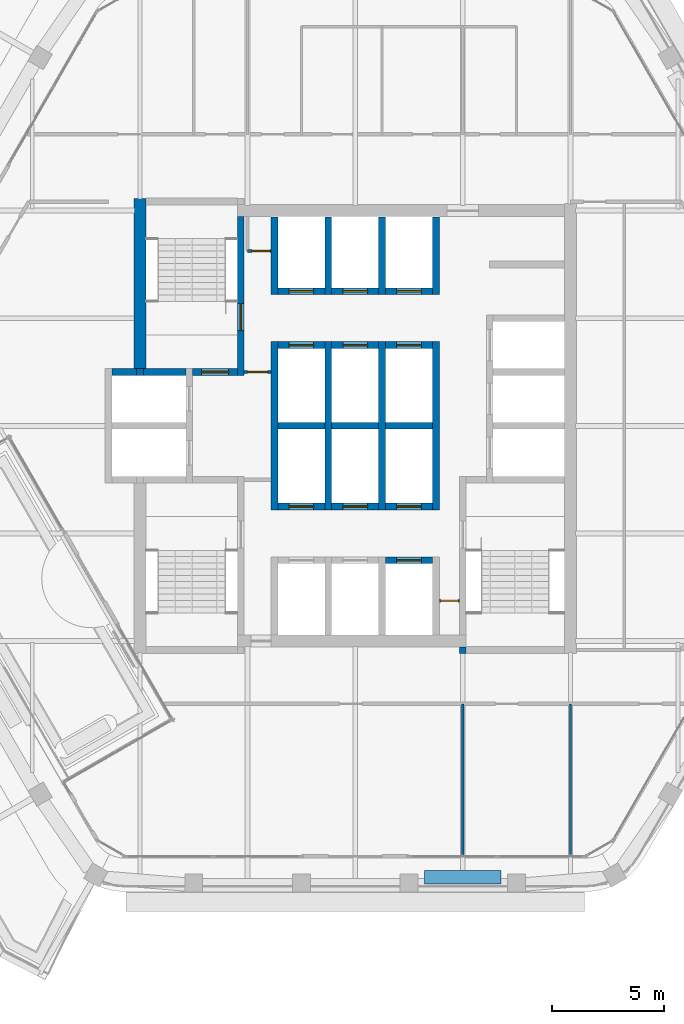
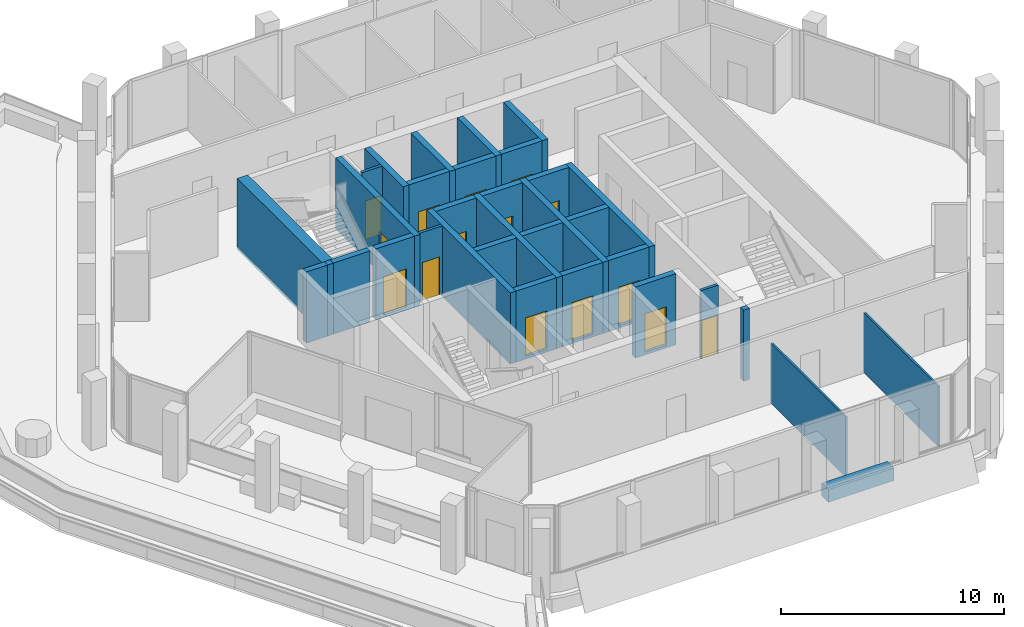
# One storey, part 10 of 15: 34 walls, 15 doors, 15 openings.
"""IFC4 building model written with IfcOpenShell, lengths in metres."""

import ifcopenshell
import ifcopenshell.guid

model = None  # the IFC model being written
_history = None  # IfcOwnerHistory: only IFC2X3 demands one
_inside = {}  # id of a spatial element -> (the spatial element, [elements in it])
_under = {}  # id of a project, library or spatial element -> (it, [spatial elements below it])
_declared = {}  # id of a project -> (the project, [libraries it declares])
_typed = {}  # id of a type object -> (the type object, [elements of that type])
_made_of = {}  # id of a material, layer set ... -> (it, [elements and type objects made of it])


def new_model(schema):
    """Start an empty IFC model of exactly this schema.

    Asked for "IFC4X3", IfcOpenShell would pick the latest addendum, in which some entities
    have other attributes; the version numbers below select the first issue.
    IFC2X3 requires an IfcOwnerHistory on every rooted entity: one is made here for all.
    """
    global model, _history
    if schema == "IFC4X3":
        model = ifcopenshell.file(schema_version=(4, 3, 0, 0))
    else:
        model = ifcopenshell.file(schema=schema)
    _inside.clear()
    _under.clear()
    _declared.clear()
    _typed.clear()
    _made_of.clear()
    _history = None
    if model.schema == "IFC2X3":
        org = make("IfcOrganization", Name="unknown")
        user = make(
            "IfcPersonAndOrganization",
            ThePerson=make("IfcPerson", FamilyName="unknown"),
            TheOrganization=org,
        )
        app = make(
            "IfcApplication",
            ApplicationDeveloper=org,
            Version="unknown",
            ApplicationFullName="unknown",
            ApplicationIdentifier="unknown",
        )
        _history = make(
            "IfcOwnerHistory",
            OwningUser=user,
            OwningApplication=app,
            ChangeAction="ADDED",
            CreationDate=0,
        )
    return model


def make(cls, **values):
    """One entity of the class cls with the attributes given. An attribute that is None is left unset."""
    return model.create_entity(
        cls, **{name: value for name, value in values.items() if value is not None}
    )


def rooted(cls, **values):
    """An entity with a GlobalId (a new one), such as an element, a storey or a relation."""
    return make(cls, GlobalId=ifcopenshell.guid.new(), OwnerHistory=_history, **values)


def si_unit(unit_type, name, prefix=None):
    """IfcSIUnit, for example si_unit("LENGTHUNIT", "METRE", prefix="MILLI")."""
    return make("IfcSIUnit", UnitType=unit_type, Prefix=prefix, Name=name)


def assignment(units):
    """IfcUnitAssignment: the units of a project."""
    return None if units is None else make("IfcUnitAssignment", Units=units)


def point(xyz):
    """IfcCartesianPoint."""
    return None if xyz is None else make("IfcCartesianPoint", Coordinates=xyz)


def direction(xyz):
    """IfcDirection."""
    return None if xyz is None else make("IfcDirection", DirectionRatios=xyz)


def frame(location, z_axis=None, x_axis=None):
    """IfcAxis2Placement3D, a coordinate frame: its origin and axes. An axis left out is left unset."""
    return make(
        "IfcAxis2Placement3D",
        Location=point(location),
        Axis=direction(z_axis),
        RefDirection=direction(x_axis),
    )


def frame_2d(location, x_axis=None):
    """IfcAxis2Placement2D, a coordinate frame in the plane: its origin and x axis."""
    return make(
        "IfcAxis2Placement2D", Location=point(location), RefDirection=direction(x_axis)
    )


def origin():
    """The frame at (0, 0, 0) with its axes left unset."""
    return frame((0.0, 0.0, 0.0))


def place(relative_to, where):
    """IfcLocalPlacement: puts the frame where relative to a parent placement (None: the world)."""
    return make(
        "IfcLocalPlacement", PlacementRelTo=relative_to, RelativePlacement=where
    )


def context(
    kind, dimensions, precision=None, world=None, true_north=None, identifier=None
):
    """IfcGeometricRepresentationContext, for example the 3D "Model" context."""
    return make(
        "IfcGeometricRepresentationContext",
        ContextIdentifier=identifier,
        ContextType=kind,
        CoordinateSpaceDimension=dimensions,
        Precision=precision,
        WorldCoordinateSystem=world,
        TrueNorth=true_north,
    )


def subcontext(parent, identifier, kind, view, scale=None):
    """IfcGeometricRepresentationSubContext, for example "Body" below "Model"."""
    return make(
        "IfcGeometricRepresentationSubContext",
        ContextIdentifier=identifier,
        ContextType=kind,
        ParentContext=parent,
        TargetScale=scale,
        TargetView=view,
    )


def project(units=None, contexts=None):
    """IfcProject with its units and contexts."""
    return rooted(
        "IfcProject",
        Name="project",
        RepresentationContexts=contexts,
        UnitsInContext=assignment(units),
    )


def spatial(cls, under=None, at=None, **own):
    """A site, building, storey or space (cls), placed at a placement, below another one or the project."""
    s = rooted(cls, ObjectPlacement=at, **own)
    if under is not None:
        _under.setdefault(under.id(), (under, []))[1].append(s)
    return s


def profile(cls, at=None, kind="AREA", **sizes):
    """A parametric profile (cls). Its sizes go by their IFC names, for example OverallWidth=200.0."""
    return make(cls, ProfileType=kind, Position=at, **sizes)


def rectangle(**sizes):
    """IfcRectangleProfileDef."""
    return profile("IfcRectangleProfileDef", **sizes)


def extrude(swept, where, along, depth):
    """IfcExtrudedAreaSolid: the profile swept, set in the frame where, extruded along a direction by depth."""
    return make(
        "IfcExtrudedAreaSolid",
        SweptArea=swept,
        Position=where,
        ExtrudedDirection=direction(along),
        Depth=depth,
    )


def shape(context_of_items, identifier, shape_type, items):
    """IfcShapeRepresentation: the items that make up one representation, for example the "Body"."""
    return make(
        "IfcShapeRepresentation",
        ContextOfItems=context_of_items,
        RepresentationIdentifier=identifier,
        RepresentationType=shape_type,
        Items=items,
    )


def material(Name=None, Category=None):
    """IfcMaterial."""
    return make("IfcMaterial", Name=Name, Category=Category)


def layer(
    of_material, thickness, ventilated=None, Name=None, Category=None, Priority=None
):
    """IfcMaterialLayer: one layer of a wall or slab, of a material (None: an air gap)."""
    return make(
        "IfcMaterialLayer",
        Material=of_material,
        LayerThickness=thickness,
        IsVentilated=ventilated,
        Name=Name,
        Category=Category,
        Priority=Priority,
    )


def layer_set(layers, Name=None):
    """IfcMaterialLayerSet."""
    return make("IfcMaterialLayerSet", MaterialLayers=layers, LayerSetName=Name)


def made_of(thing, what):
    """Note that an element or type object is made of a material, layer set ...; save() writes the relation."""
    if what is not None:
        _made_of.setdefault(what.id(), (what, []))[1].append(thing)
    return thing


def type_object(cls, material=None, **own):
    """A type object (cls), such as IfcWallType, which elements share."""
    return made_of(rooted(cls, **own), material)


def element(
    cls,
    number,
    at=None,
    inside=None,
    cuts=None,
    type_object=None,
    material=None,
    context=None,
    identifier="Body",
    shape_type=None,
    held_by="IfcProductDefinitionShape",
    body=None,
    shapes=None,
    **own,
):
    """One element of the class cls, such as IfcWall. Its Tag is "e" and its number.

    at: its placement. inside: the storey or other place that contains it. cuts: it is an
    opening in that element (IfcRelVoidsElement). A single representation is given by context,
    identifier, shape_type and body (its items); several are given by shapes. held_by: the class
    of the entity that holds the representations. save() writes the other relations.
    """
    e = rooted(cls, Tag="e%d" % number, ObjectPlacement=at, **own)
    if body is not None:
        shapes = [shape(context, identifier, shape_type, body)]
    if shapes is not None:
        e.Representation = make(held_by, Representations=shapes)
    if inside is not None:
        _inside.setdefault(inside.id(), (inside, []))[1].append(e)
    if cuts is not None:
        rooted(
            "IfcRelVoidsElement", RelatingBuildingElement=cuts, RelatedOpeningElement=e
        )
    if type_object is not None:
        _typed.setdefault(type_object.id(), (type_object, []))[1].append(e)
    return made_of(e, material)


def fill(opening, filler):
    """IfcRelFillsElement: the door or window that sits in an opening."""
    return rooted(
        "IfcRelFillsElement",
        RelatingOpeningElement=opening,
        RelatedBuildingElement=filler,
    )


def aggregate(whole, parts):
    """IfcRelAggregates: a whole, such as a stair, and the parts it consists of."""
    return rooted("IfcRelAggregates", RelatingObject=whole, RelatedObjects=parts)


def save(model, path):
    """Write the relations noted so far, then the file.

    IfcRelAggregates (storeys below a building ...), IfcRelContainedInSpatialStructure (elements
    in a storey), IfcRelDefinesByType, IfcRelAssociatesMaterial and IfcRelDeclares: one each for
    every whole, place, type object, material and project.
    """
    for whole, parts in _under.values():
        aggregate(whole, parts)
    for where, things in _inside.values():
        rooted(
            "IfcRelContainedInSpatialStructure",
            RelatedElements=things,
            RelatingStructure=where,
        )
    for kind, things in _typed.values():
        rooted("IfcRelDefinesByType", RelatedObjects=things, RelatingType=kind)
    for what, things in _made_of.values():
        rooted("IfcRelAssociatesMaterial", RelatedObjects=things, RelatingMaterial=what)
    for by, libraries in _declared.values():
        rooted("IfcRelDeclares", RelatingContext=by, RelatedDefinitions=libraries)
    model.write(path)


model = new_model("IFC4")

# Units and contexts
model_context = context("Model", 3, precision=1e-05, world=origin(), true_north=direction((0.0, 1.0)))
body_context = subcontext(model_context, "Body", "Model", "MODEL_VIEW")
ifc_project = project(units=[si_unit("LENGTHUNIT", "METRE"), si_unit("AREAUNIT", "SQUARE_METRE"), si_unit("VOLUMEUNIT", "CUBIC_METRE"), si_unit("PLANEANGLEUNIT", "RADIAN"), si_unit("MASSUNIT", "GRAM", prefix="KILO")], contexts=[model_context])

# Site, building, storey
site_placement = place(None, origin())
site = spatial("IfcSite", under=ifc_project, at=site_placement, CompositionType="ELEMENT")
building_placement = place(site_placement, origin())
building = spatial("IfcBuilding", under=site, at=building_placement, Name="Kolab Exchange Tower", CompositionType="ELEMENT")
storey_placement = place(building_placement, frame((0.0, 0.0, 238.39990234375)))
storey = spatial("IfcBuildingStorey", under=building, at=storey_placement, Name="L52", CompositionType="ELEMENT", Elevation=238.39990234375)

# Wall
ifc_material_1 = material(Name="Concrete C50/60", Category="concrete")
ifc_layer_1 = layer(ifc_material_1, 0.550048828125)
ifc_layer_set_1 = layer_set([ifc_layer_1], Name="Concrete C50/60")
wall_type_1 = type_object("IfcWallType", Name="CORE WALL 550 C50/60", PredefinedType="SHEAR", material=ifc_layer_set_1)
wall_1_placement = place(storey_placement, frame((-9.60009765625, 2.550048828125, -0.14990234375), z_axis=(0.0, 0.0, 1.0), x_axis=(0.0, 1.0, 0.0)))
element("IfcWall", 1, at=wall_1_placement, inside=storey, type_object=wall_type_1, Name="wall/L52/core/037", PredefinedType="SHEAR", context=body_context, shape_type="SweptSolid", body=[
    extrude(rectangle(XDim=7.599853515625, YDim=0.550048828125, at=frame_2d((3.7998046875, 0.0))), origin(), (0.0, 0.0, 1.0), 3.89990234375),
])

# Wall, opening, door
ifc_layer_2 = layer(ifc_material_1, 0.300048828125)
ifc_layer_set_2 = layer_set([ifc_layer_2], Name="Concrete C50/60")
wall_type_2 = type_object("IfcWallType", Name="LIFT SHAFT WALL 300 C50/60", PredefinedType="STANDARD", material=ifc_layer_set_2)
wall_2_placement = place(storey_placement, frame((1.35009765625, -6.0, -0.14990234375), z_axis=(0.0, 0.0, 1.0), x_axis=(1.0, 0.0, 0.0)))
wall_2 = element("IfcWall", 2, at=wall_2_placement, inside=storey, type_object=wall_type_2, Name="wall/L52/core/005", PredefinedType="STANDARD", context=body_context, shape_type="SweptSolid", body=[
    extrude(rectangle(XDim=2.099853515625, YDim=0.300048828125, at=frame_2d((1.0498046875, 0.0))), origin(), (0.0, 0.0, 1.0), 3.89990234375),
])
opening_1_placement = place(wall_2_placement, frame((0.5, 0.0, 0.14990234375)))
opening_1 = element("IfcOpeningElement", 3, at=opening_1_placement, cuts=wall_2, Name="Opening LD1-112", PredefinedType="OPENING", context=body_context, shape_type="SweptSolid", body=[
    extrude(rectangle(XDim=1.10009765625, YDim=2.10009765625, at=frame_2d((0.550048828125, 1.050048828125))), frame((0.0, 0.16015625, 0.0), z_axis=(0.0, -1.0, 0.0), x_axis=(1.0, 0.0, 0.0)), (0.0, 0.0, 1.0), 0.320068359375),
])
ifc_material_2 = material(Name="Stainless steel 316", Category="steel")
door_type_1 = type_object("IfcDoorType", Name="LANDING DOOR 1100 PASSENGER", OperationType="DOUBLE_DOOR_SLIDING", PredefinedType="DOOR", material=ifc_material_2)
door_1_placement = place(opening_1_placement, origin())
door_1 = element("IfcDoor", 4, at=door_1_placement, inside=storey, type_object=door_type_1, Name="Landing door HR12", OperationType="DOUBLE_DOOR_SLIDING", OverallHeight=2.10009765625, OverallWidth=1.10009765625, PredefinedType="DOOR", context=body_context, shape_type="SweptSolid", body=[
    extrude(rectangle(XDim=1.10009765625, YDim=2.10009765625, at=frame_2d((0.550048828125, 1.050048828125))), frame((0.0, 0.02490234375, 0.0), z_axis=(0.0, -1.0, 0.0), x_axis=(1.0, 0.0, 0.0)), (0.0, 0.0, 1.0), 0.050048828125),
])
fill(opening_1, door_1)

wall_3_placement = place(storey_placement, frame((-3.449951171875, -3.60009765625, -0.14990234375), z_axis=(0.0, 0.0, 1.0), x_axis=(1.0, 0.0, 0.0)))
wall_3 = element("IfcWall", 5, at=wall_3_placement, inside=storey, type_object=wall_type_2, Name="wall/L52/core/006", PredefinedType="STANDARD", context=body_context, shape_type="SweptSolid", body=[
    extrude(rectangle(XDim=2.099853515625, YDim=0.300048828125, at=frame_2d((1.0498046875, 0.0))), origin(), (0.0, 0.0, 1.0), 3.89990234375),
])
opening_2_placement = place(wall_3_placement, frame((0.5, 0.0, 0.14990234375)))
opening_2 = element("IfcOpeningElement", 6, at=opening_2_placement, cuts=wall_3, Name="Opening LD1-118", PredefinedType="OPENING", context=body_context, shape_type="SweptSolid", body=[
    extrude(rectangle(XDim=1.10009765625, YDim=2.10009765625, at=frame_2d((0.550048828125, 1.050048828125))), frame((0.0, 0.16015625, 0.0), z_axis=(0.0, -1.0, 0.0), x_axis=(1.0, 0.0, 0.0)), (0.0, 0.0, 1.0), 0.320068359375),
])
door_2_placement = place(opening_2_placement, origin())
door_2 = element("IfcDoor", 7, at=door_2_placement, inside=storey, type_object=door_type_1, Name="Landing door HR7", OperationType="DOUBLE_DOOR_SLIDING", OverallHeight=2.10009765625, OverallWidth=1.10009765625, PredefinedType="DOOR", context=body_context, shape_type="SweptSolid", body=[
    extrude(rectangle(XDim=1.10009765625, YDim=2.10009765625, at=frame_2d((0.550048828125, 1.050048828125))), frame((0.0, 0.02490234375, 0.0), z_axis=(0.0, -1.0, 0.0), x_axis=(1.0, 0.0, 0.0)), (0.0, 0.0, 1.0), 0.050048828125),
])
fill(opening_2, door_2)

wall_4_placement = place(storey_placement, frame((-1.050048828125, -3.60009765625, -0.14990234375), z_axis=(0.0, 0.0, 1.0), x_axis=(1.0, 0.0, 0.0)))
wall_4 = element("IfcWall", 8, at=wall_4_placement, inside=storey, type_object=wall_type_2, Name="wall/L52/core/007", PredefinedType="STANDARD", context=body_context, shape_type="SweptSolid", body=[
    extrude(rectangle(XDim=2.10009765625, YDim=0.300048828125, at=frame_2d((1.050048828125, 0.0))), origin(), (0.0, 0.0, 1.0), 3.89990234375),
])
opening_3_placement = place(wall_4_placement, frame((0.5, 0.0, 0.14990234375)))
opening_3 = element("IfcOpeningElement", 9, at=opening_3_placement, cuts=wall_4, Name="Opening LD1-119", PredefinedType="OPENING", context=body_context, shape_type="SweptSolid", body=[
    extrude(rectangle(XDim=1.10009765625, YDim=2.10009765625, at=frame_2d((0.550048828125, 1.050048828125))), frame((0.0, 0.16015625, 0.0), z_axis=(0.0, -1.0, 0.0), x_axis=(1.0, 0.0, 0.0)), (0.0, 0.0, 1.0), 0.320068359375),
])
door_3_placement = place(opening_3_placement, origin())
door_3 = element("IfcDoor", 10, at=door_3_placement, inside=storey, type_object=door_type_1, Name="Landing door HR8", OperationType="DOUBLE_DOOR_SLIDING", OverallHeight=2.10009765625, OverallWidth=1.10009765625, PredefinedType="DOOR", context=body_context, shape_type="SweptSolid", body=[
    extrude(rectangle(XDim=1.10009765625, YDim=2.10009765625, at=frame_2d((0.550048828125, 1.050048828125))), frame((0.0, 0.02490234375, 0.0), z_axis=(0.0, -1.0, 0.0), x_axis=(1.0, 0.0, 0.0)), (0.0, 0.0, 1.0), 0.050048828125),
])
fill(opening_3, door_3)

wall_5_placement = place(storey_placement, frame((1.35009765625, -3.60009765625, -0.14990234375), z_axis=(0.0, 0.0, 1.0), x_axis=(1.0, 0.0, 0.0)))
wall_5 = element("IfcWall", 11, at=wall_5_placement, inside=storey, type_object=wall_type_2, Name="wall/L52/core/008", PredefinedType="STANDARD", context=body_context, shape_type="SweptSolid", body=[
    extrude(rectangle(XDim=2.099853515625, YDim=0.300048828125, at=frame_2d((1.0498046875, 0.0))), origin(), (0.0, 0.0, 1.0), 3.89990234375),
])
opening_4_placement = place(wall_5_placement, frame((0.5, 0.0, 0.14990234375)))
opening_4 = element("IfcOpeningElement", 12, at=opening_4_placement, cuts=wall_5, Name="Opening LD1-120", PredefinedType="OPENING", context=body_context, shape_type="SweptSolid", body=[
    extrude(rectangle(XDim=1.10009765625, YDim=2.10009765625, at=frame_2d((0.550048828125, 1.050048828125))), frame((0.0, 0.16015625, 0.0), z_axis=(0.0, -1.0, 0.0), x_axis=(1.0, 0.0, 0.0)), (0.0, 0.0, 1.0), 0.320068359375),
])
door_4_placement = place(opening_4_placement, origin())
door_4 = element("IfcDoor", 13, at=door_4_placement, inside=storey, type_object=door_type_1, Name="Landing door HR9", OperationType="DOUBLE_DOOR_SLIDING", OverallHeight=2.10009765625, OverallWidth=1.10009765625, PredefinedType="DOOR", context=body_context, shape_type="SweptSolid", body=[
    extrude(rectangle(XDim=1.10009765625, YDim=2.10009765625, at=frame_2d((0.550048828125, 1.050048828125))), frame((0.0, 0.02490234375, 0.0), z_axis=(0.0, -1.0, 0.0), x_axis=(1.0, 0.0, 0.0)), (0.0, 0.0, 1.0), 0.050048828125),
])
fill(opening_4, door_4)

# Walls
wall_6_placement = place(storey_placement, frame((-3.449951171875, 0.0, -0.14990234375), z_axis=(0.0, 0.0, 1.0), x_axis=(1.0, 0.0, 0.0)))
element("IfcWall", 14, at=wall_6_placement, inside=storey, type_object=wall_type_2, Name="wall/L52/core/015", PredefinedType="STANDARD", context=body_context, shape_type="SweptSolid", body=[
    extrude(rectangle(XDim=2.099853515625, YDim=0.300048828125, at=frame_2d((1.0498046875, 0.0))), origin(), (0.0, 0.0, 1.0), 3.89990234375),
])
wall_7_placement = place(storey_placement, frame((-1.050048828125, 0.0, -0.14990234375), z_axis=(0.0, 0.0, 1.0), x_axis=(1.0, 0.0, 0.0)))
element("IfcWall", 15, at=wall_7_placement, inside=storey, type_object=wall_type_2, Name="wall/L52/core/016", PredefinedType="STANDARD", context=body_context, shape_type="SweptSolid", body=[
    extrude(rectangle(XDim=2.10009765625, YDim=0.300048828125, at=frame_2d((1.050048828125, 0.0))), origin(), (0.0, 0.0, 1.0), 3.89990234375),
])
wall_8_placement = place(storey_placement, frame((1.35009765625, 0.0, -0.14990234375), z_axis=(0.0, 0.0, 1.0), x_axis=(1.0, 0.0, 0.0)))
element("IfcWall", 16, at=wall_8_placement, inside=storey, type_object=wall_type_2, Name="wall/L52/core/017", PredefinedType="STANDARD", context=body_context, shape_type="SweptSolid", body=[
    extrude(rectangle(XDim=2.099853515625, YDim=0.300048828125, at=frame_2d((1.0498046875, 0.0))), origin(), (0.0, 0.0, 1.0), 3.89990234375),
])
wall_9_placement = place(storey_placement, frame((-10.85009765625, 2.39990234375, -0.14990234375), z_axis=(0.0, 0.0, 1.0), x_axis=(1.0, 0.0, 0.0)))
element("IfcWall", 17, at=wall_9_placement, inside=storey, type_object=wall_type_2, Name="wall/L52/core/019", PredefinedType="STANDARD", context=body_context, shape_type="SweptSolid", body=[
    extrude(rectangle(XDim=1.10009765625, YDim=0.300048828125, at=frame_2d((0.550048828125, 0.0))), origin(), (0.0, 0.0, 1.0), 3.89990234375),
])

# Wall, opening, door
wall_10_placement = place(storey_placement, frame((-3.449951171875, 3.60009765625, -0.14990234375), z_axis=(0.0, 0.0, 1.0), x_axis=(1.0, 0.0, 0.0)))
wall_10 = element("IfcWall", 18, at=wall_10_placement, inside=storey, type_object=wall_type_2, Name="wall/L52/core/023", PredefinedType="STANDARD", context=body_context, shape_type="SweptSolid", body=[
    extrude(rectangle(XDim=2.099853515625, YDim=0.300048828125, at=frame_2d((1.0498046875, 0.0))), origin(), (0.0, 0.0, 1.0), 3.89990234375),
])
opening_5_placement = place(wall_10_placement, frame((0.5, 0.0, 0.14990234375)))
opening_5 = element("IfcOpeningElement", 19, at=opening_5_placement, cuts=wall_10, Name="Opening LD1-115", PredefinedType="OPENING", context=body_context, shape_type="SweptSolid", body=[
    extrude(rectangle(XDim=1.10009765625, YDim=2.10009765625, at=frame_2d((0.550048828125, 1.050048828125))), frame((0.0, 0.16015625, 0.0), z_axis=(0.0, -1.0, 0.0), x_axis=(1.0, 0.0, 0.0)), (0.0, 0.0, 1.0), 0.320068359375),
])
door_5_placement = place(opening_5_placement, origin())
door_5 = element("IfcDoor", 20, at=door_5_placement, inside=storey, type_object=door_type_1, Name="Landing door HR4", OperationType="DOUBLE_DOOR_SLIDING", OverallHeight=2.10009765625, OverallWidth=1.10009765625, PredefinedType="DOOR", context=body_context, shape_type="SweptSolid", body=[
    extrude(rectangle(XDim=1.10009765625, YDim=2.10009765625, at=frame_2d((0.550048828125, 1.050048828125))), frame((0.0, 0.02490234375, 0.0), z_axis=(0.0, -1.0, 0.0), x_axis=(1.0, 0.0, 0.0)), (0.0, 0.0, 1.0), 0.050048828125),
])
fill(opening_5, door_5)

wall_11_placement = place(storey_placement, frame((-1.050048828125, 3.60009765625, -0.14990234375), z_axis=(0.0, 0.0, 1.0), x_axis=(1.0, 0.0, 0.0)))
wall_11 = element("IfcWall", 21, at=wall_11_placement, inside=storey, type_object=wall_type_2, Name="wall/L52/core/024", PredefinedType="STANDARD", context=body_context, shape_type="SweptSolid", body=[
    extrude(rectangle(XDim=2.10009765625, YDim=0.300048828125, at=frame_2d((1.050048828125, 0.0))), origin(), (0.0, 0.0, 1.0), 3.89990234375),
])
opening_6_placement = place(wall_11_placement, frame((0.5, 0.0, 0.14990234375)))
opening_6 = element("IfcOpeningElement", 22, at=opening_6_placement, cuts=wall_11, Name="Opening LD1-116", PredefinedType="OPENING", context=body_context, shape_type="SweptSolid", body=[
    extrude(rectangle(XDim=1.10009765625, YDim=2.10009765625, at=frame_2d((0.550048828125, 1.050048828125))), frame((0.0, 0.16015625, 0.0), z_axis=(0.0, -1.0, 0.0), x_axis=(1.0, 0.0, 0.0)), (0.0, 0.0, 1.0), 0.320068359375),
])
door_6_placement = place(opening_6_placement, origin())
door_6 = element("IfcDoor", 23, at=door_6_placement, inside=storey, type_object=door_type_1, Name="Landing door HR5", OperationType="DOUBLE_DOOR_SLIDING", OverallHeight=2.10009765625, OverallWidth=1.10009765625, PredefinedType="DOOR", context=body_context, shape_type="SweptSolid", body=[
    extrude(rectangle(XDim=1.10009765625, YDim=2.10009765625, at=frame_2d((0.550048828125, 1.050048828125))), frame((0.0, 0.02490234375, 0.0), z_axis=(0.0, -1.0, 0.0), x_axis=(1.0, 0.0, 0.0)), (0.0, 0.0, 1.0), 0.050048828125),
])
fill(opening_6, door_6)

wall_12_placement = place(storey_placement, frame((1.35009765625, 3.60009765625, -0.14990234375), z_axis=(0.0, 0.0, 1.0), x_axis=(1.0, 0.0, 0.0)))
wall_12 = element("IfcWall", 24, at=wall_12_placement, inside=storey, type_object=wall_type_2, Name="wall/L52/core/025", PredefinedType="STANDARD", context=body_context, shape_type="SweptSolid", body=[
    extrude(rectangle(XDim=2.099853515625, YDim=0.300048828125, at=frame_2d((1.0498046875, 0.0))), origin(), (0.0, 0.0, 1.0), 3.89990234375),
])
opening_7_placement = place(wall_12_placement, frame((0.5, 0.0, 0.14990234375)))
opening_7 = element("IfcOpeningElement", 25, at=opening_7_placement, cuts=wall_12, Name="Opening LD1-117", PredefinedType="OPENING", context=body_context, shape_type="SweptSolid", body=[
    extrude(rectangle(XDim=1.10009765625, YDim=2.10009765625, at=frame_2d((0.550048828125, 1.050048828125))), frame((0.0, 0.16015625, 0.0), z_axis=(0.0, -1.0, 0.0), x_axis=(1.0, 0.0, 0.0)), (0.0, 0.0, 1.0), 0.320068359375),
])
door_7_placement = place(opening_7_placement, origin())
door_7 = element("IfcDoor", 26, at=door_7_placement, inside=storey, type_object=door_type_1, Name="Landing door HR6", OperationType="DOUBLE_DOOR_SLIDING", OverallHeight=2.10009765625, OverallWidth=1.10009765625, PredefinedType="DOOR", context=body_context, shape_type="SweptSolid", body=[
    extrude(rectangle(XDim=1.10009765625, YDim=2.10009765625, at=frame_2d((0.550048828125, 1.050048828125))), frame((0.0, 0.02490234375, 0.0), z_axis=(0.0, -1.0, 0.0), x_axis=(1.0, 0.0, 0.0)), (0.0, 0.0, 1.0), 0.050048828125),
])
fill(opening_7, door_7)

wall_13_placement = place(storey_placement, frame((-3.449951171875, 6.0, -0.14990234375), z_axis=(0.0, 0.0, 1.0), x_axis=(1.0, 0.0, 0.0)))
wall_13 = element("IfcWall", 27, at=wall_13_placement, inside=storey, type_object=wall_type_2, Name="wall/L52/core/027", PredefinedType="STANDARD", context=body_context, shape_type="SweptSolid", body=[
    extrude(rectangle(XDim=2.099853515625, YDim=0.300048828125, at=frame_2d((1.0498046875, 0.0))), origin(), (0.0, 0.0, 1.0), 3.89990234375),
])
opening_8_placement = place(wall_13_placement, frame((0.5, 0.0, 0.14990234375)))
opening_8 = element("IfcOpeningElement", 28, at=opening_8_placement, cuts=wall_13, Name="Opening LD1-109", PredefinedType="OPENING", context=body_context, shape_type="SweptSolid", body=[
    extrude(rectangle(XDim=1.10009765625, YDim=2.10009765625, at=frame_2d((0.550048828125, 1.050048828125))), frame((0.0, 0.16015625, 0.0), z_axis=(0.0, -1.0, 0.0), x_axis=(1.0, 0.0, 0.0)), (0.0, 0.0, 1.0), 0.320068359375),
])
door_8_placement = place(opening_8_placement, origin())
door_8 = element("IfcDoor", 29, at=door_8_placement, inside=storey, type_object=door_type_1, Name="Landing door HR1", OperationType="DOUBLE_DOOR_SLIDING", OverallHeight=2.10009765625, OverallWidth=1.10009765625, PredefinedType="DOOR", context=body_context, shape_type="SweptSolid", body=[
    extrude(rectangle(XDim=1.10009765625, YDim=2.10009765625, at=frame_2d((0.550048828125, 1.050048828125))), frame((0.0, 0.02490234375, 0.0), z_axis=(0.0, -1.0, 0.0), x_axis=(1.0, 0.0, 0.0)), (0.0, 0.0, 1.0), 0.050048828125),
])
fill(opening_8, door_8)

wall_14_placement = place(storey_placement, frame((-1.050048828125, 6.0, -0.14990234375), z_axis=(0.0, 0.0, 1.0), x_axis=(1.0, 0.0, 0.0)))
wall_14 = element("IfcWall", 30, at=wall_14_placement, inside=storey, type_object=wall_type_2, Name="wall/L52/core/028", PredefinedType="STANDARD", context=body_context, shape_type="SweptSolid", body=[
    extrude(rectangle(XDim=2.10009765625, YDim=0.300048828125, at=frame_2d((1.050048828125, 0.0))), origin(), (0.0, 0.0, 1.0), 3.89990234375),
])
opening_9_placement = place(wall_14_placement, frame((0.5, 0.0, 0.14990234375)))
opening_9 = element("IfcOpeningElement", 31, at=opening_9_placement, cuts=wall_14, Name="Opening LD1-113", PredefinedType="OPENING", context=body_context, shape_type="SweptSolid", body=[
    extrude(rectangle(XDim=1.10009765625, YDim=2.10009765625, at=frame_2d((0.550048828125, 1.050048828125))), frame((0.0, 0.16015625, 0.0), z_axis=(0.0, -1.0, 0.0), x_axis=(1.0, 0.0, 0.0)), (0.0, 0.0, 1.0), 0.320068359375),
])
door_9_placement = place(opening_9_placement, origin())
door_9 = element("IfcDoor", 32, at=door_9_placement, inside=storey, type_object=door_type_1, Name="Landing door HR2", OperationType="DOUBLE_DOOR_SLIDING", OverallHeight=2.10009765625, OverallWidth=1.10009765625, PredefinedType="DOOR", context=body_context, shape_type="SweptSolid", body=[
    extrude(rectangle(XDim=1.10009765625, YDim=2.10009765625, at=frame_2d((0.550048828125, 1.050048828125))), frame((0.0, 0.02490234375, 0.0), z_axis=(0.0, -1.0, 0.0), x_axis=(1.0, 0.0, 0.0)), (0.0, 0.0, 1.0), 0.050048828125),
])
fill(opening_9, door_9)

wall_15_placement = place(storey_placement, frame((1.35009765625, 6.0, -0.14990234375), z_axis=(0.0, 0.0, 1.0), x_axis=(1.0, 0.0, 0.0)))
wall_15 = element("IfcWall", 33, at=wall_15_placement, inside=storey, type_object=wall_type_2, Name="wall/L52/core/029", PredefinedType="STANDARD", context=body_context, shape_type="SweptSolid", body=[
    extrude(rectangle(XDim=2.099853515625, YDim=0.300048828125, at=frame_2d((1.0498046875, 0.0))), origin(), (0.0, 0.0, 1.0), 3.89990234375),
])
opening_10_placement = place(wall_15_placement, frame((0.5, 0.0, 0.14990234375)))
opening_10 = element("IfcOpeningElement", 34, at=opening_10_placement, cuts=wall_15, Name="Opening LD1-114", PredefinedType="OPENING", context=body_context, shape_type="SweptSolid", body=[
    extrude(rectangle(XDim=1.10009765625, YDim=2.10009765625, at=frame_2d((0.550048828125, 1.050048828125))), frame((0.0, 0.16015625, 0.0), z_axis=(0.0, -1.0, 0.0), x_axis=(1.0, 0.0, 0.0)), (0.0, 0.0, 1.0), 0.320068359375),
])
door_10_placement = place(opening_10_placement, origin())
door_10 = element("IfcDoor", 35, at=door_10_placement, inside=storey, type_object=door_type_1, Name="Landing door HR3", OperationType="DOUBLE_DOOR_SLIDING", OverallHeight=2.10009765625, OverallWidth=1.10009765625, PredefinedType="DOOR", context=body_context, shape_type="SweptSolid", body=[
    extrude(rectangle(XDim=1.10009765625, YDim=2.10009765625, at=frame_2d((0.550048828125, 1.050048828125))), frame((0.0, 0.02490234375, 0.0), z_axis=(0.0, -1.0, 0.0), x_axis=(1.0, 0.0, 0.0)), (0.0, 0.0, 1.0), 0.050048828125),
])
fill(opening_10, door_10)

# Walls
wall_16_placement = place(storey_placement, frame((-3.60009765625, -3.75, -0.14990234375), z_axis=(0.0, 0.0, 1.0), x_axis=(0.0, 1.0, 0.0)))
element("IfcWall", 36, at=wall_16_placement, inside=storey, type_object=wall_type_2, Name="wall/L52/core/044", PredefinedType="STANDARD", context=body_context, shape_type="SweptSolid", body=[
    extrude(rectangle(XDim=7.5, YDim=0.300048828125, at=frame_2d((3.75, 0.0))), origin(), (0.0, 0.0, 1.0), 3.89990234375),
])
wall_17_placement = place(storey_placement, frame((-3.60009765625, 5.85009765625, -0.14990234375), z_axis=(0.0, 0.0, 1.0), x_axis=(0.0, 1.0, 0.0)))
element("IfcWall", 37, at=wall_17_placement, inside=storey, type_object=wall_type_2, Name="wall/L52/core/045", PredefinedType="STANDARD", context=body_context, shape_type="SweptSolid", body=[
    extrude(rectangle(XDim=3.474853515625, YDim=0.300048828125, at=frame_2d((1.7373046875, 0.0))), origin(), (0.0, 0.0, 1.0), 3.89990234375),
])
wall_18_placement = place(storey_placement, frame((-1.199951171875, -3.75, -0.14990234375), z_axis=(0.0, 0.0, 1.0), x_axis=(0.0, 1.0, 0.0)))
element("IfcWall", 38, at=wall_18_placement, inside=storey, type_object=wall_type_2, Name="wall/L52/core/047", PredefinedType="STANDARD", context=body_context, shape_type="SweptSolid", body=[
    extrude(rectangle(XDim=7.5, YDim=0.300048828125, at=frame_2d((3.75, 0.0))), origin(), (0.0, 0.0, 1.0), 3.89990234375),
])
wall_19_placement = place(storey_placement, frame((-1.199951171875, 5.85009765625, -0.14990234375), z_axis=(0.0, 0.0, 1.0), x_axis=(0.0, 1.0, 0.0)))
element("IfcWall", 39, at=wall_19_placement, inside=storey, type_object=wall_type_2, Name="wall/L52/core/048", PredefinedType="STANDARD", context=body_context, shape_type="SweptSolid", body=[
    extrude(rectangle(XDim=3.474853515625, YDim=0.300048828125, at=frame_2d((1.7373046875, 0.0))), origin(), (0.0, 0.0, 1.0), 3.89990234375),
])
wall_20_placement = place(storey_placement, frame((1.199951171875, -3.75, -0.14990234375), z_axis=(0.0, 0.0, 1.0), x_axis=(0.0, 1.0, 0.0)))
element("IfcWall", 40, at=wall_20_placement, inside=storey, type_object=wall_type_2, Name="wall/L52/core/050", PredefinedType="STANDARD", context=body_context, shape_type="SweptSolid", body=[
    extrude(rectangle(XDim=7.5, YDim=0.300048828125, at=frame_2d((3.75, 0.0))), origin(), (0.0, 0.0, 1.0), 3.89990234375),
])
wall_21_placement = place(storey_placement, frame((1.199951171875, 5.85009765625, -0.14990234375), z_axis=(0.0, 0.0, 1.0), x_axis=(0.0, 1.0, 0.0)))
element("IfcWall", 41, at=wall_21_placement, inside=storey, type_object=wall_type_2, Name="wall/L52/core/051", PredefinedType="STANDARD", context=body_context, shape_type="SweptSolid", body=[
    extrude(rectangle(XDim=3.474853515625, YDim=0.300048828125, at=frame_2d((1.7373046875, 0.0))), origin(), (0.0, 0.0, 1.0), 3.89990234375),
])
wall_22_placement = place(storey_placement, frame((3.60009765625, -3.75, -0.14990234375), z_axis=(0.0, 0.0, 1.0), x_axis=(0.0, 1.0, 0.0)))
element("IfcWall", 42, at=wall_22_placement, inside=storey, type_object=wall_type_2, Name="wall/L52/core/053", PredefinedType="STANDARD", context=body_context, shape_type="SweptSolid", body=[
    extrude(rectangle(XDim=7.5, YDim=0.300048828125, at=frame_2d((3.75, 0.0))), origin(), (0.0, 0.0, 1.0), 3.89990234375),
])
wall_23_placement = place(storey_placement, frame((3.60009765625, 5.85009765625, -0.14990234375), z_axis=(0.0, 0.0, 1.0), x_axis=(0.0, 1.0, 0.0)))
element("IfcWall", 43, at=wall_23_placement, inside=storey, type_object=wall_type_2, Name="wall/L52/core/054", PredefinedType="STANDARD", context=body_context, shape_type="SweptSolid", body=[
    extrude(rectangle(XDim=3.474853515625, YDim=0.300048828125, at=frame_2d((1.7373046875, 0.0))), origin(), (0.0, 0.0, 1.0), 3.89990234375),
])
ifc_material_3 = material(Name="Gypsum board", Category="gypsum")
ifc_layer_3 = layer(ifc_material_3, 0.10009765625)
ifc_layer_set_3 = layer_set([ifc_layer_3], Name="Gypsum board")
wall_type_3 = type_object("IfcWallType", Name="PARTITION 100", PredefinedType="PARTITIONING", material=ifc_layer_set_3)
for number, where, z_axis, x_axis, name in (
    (44, (9.60009765625, -19.114501953125, 0.0), (0.0, 0.0, 1.0), (0.0, 1.0, 0.0), "Partition 001"),
    (45, (4.800048828125, -19.114501953125, 0.0), (0.0, 0.0, 1.0), (0.0, 1.0, 0.0), "Partition 004"),
):
    element("IfcWall", number, at=place(storey_placement, frame(where, z_axis=z_axis, x_axis=x_axis)), inside=storey, type_object=wall_type_3, Name=name, PredefinedType="PARTITIONING", context=body_context, shape_type="SweptSolid", body=[
        extrude(rectangle(XDim=6.714599609375, YDim=0.10009765625, at=frame_2d((3.357421875, 0.0))), origin(), (0.0, 0.0, 1.0), 3.293212890625),
    ])

# Wall, opening, door
ifc_layer_4 = layer(ifc_material_3, 0.14990234375)
ifc_layer_set_4 = layer_set([ifc_layer_4], Name="Gypsum board")
wall_type_4 = type_object("IfcWallType", Name="PARTITION 150 FIRE-RATED", PredefinedType="PARTITIONING", material=ifc_layer_set_4)
wall_24_placement = place(storey_placement, frame((3.75, -7.800048828125, 0.0), z_axis=(0.0, 0.0, 1.0), x_axis=(1.0, 0.0, 0.0)))
wall_24 = element("IfcWall", 46, at=wall_24_placement, inside=storey, type_object=wall_type_4, Name="Partition 019", PredefinedType="PARTITIONING", context=body_context, shape_type="SweptSolid", body=[
    extrude(rectangle(XDim=0.89990234375, YDim=0.14990234375, at=frame_2d((0.449951171875, 0.0))), origin(), (0.0, 0.0, 1.0), 3.75),
])
opening_11_placement = place(wall_24_placement, frame((0.050048828125, 0.0, 0.0)))
opening_11 = element("IfcOpeningElement", 47, at=opening_11_placement, cuts=wall_24, Name="Opening D7-040", PredefinedType="OPENING", context=body_context, shape_type="SweptSolid", body=[
    extrude(rectangle(XDim=0.800048828125, YDim=2.10009765625, at=frame_2d((0.39990234375, 1.050048828125))), frame((0.0, 0.0849609375, 0.0), z_axis=(0.0, -1.0, 0.0), x_axis=(1.0, 0.0, 0.0)), (0.0, 0.0, 1.0), 0.169921875),
])
ifc_material_4 = material(Name="Steel S235", Category="steel")
door_type_2 = type_object("IfcDoorType", Name="FLUSH DOOR 800 FD60", OperationType="SINGLE_SWING_LEFT", PredefinedType="DOOR", material=ifc_material_4)
door_11_placement = place(opening_11_placement, frame((0.800048828125, 0.0, 0.0), z_axis=(0.0, 0.0, 1.0), x_axis=(-1.0, 0.0, 0.0)))
door_11 = element("IfcDoor", 48, at=door_11_placement, inside=storey, type_object=door_type_2, Name="Door L52-024", OperationType="SINGLE_SWING_RIGHT", OverallHeight=2.10009765625, OverallWidth=0.800048828125, PredefinedType="DOOR", context=body_context, shape_type="SweptSolid", body=[
    extrude(rectangle(XDim=0.800048828125, YDim=2.10009765625, at=frame_2d((0.39990234375, 1.050048828125))), frame((0.0, 0.02490234375, 0.0), z_axis=(0.0, -1.0, 0.0), x_axis=(1.0, 0.0, 0.0)), (0.0, 0.0, 1.0), 0.050048828125),
])
fill(opening_11, door_11)

wall_25_placement = place(storey_placement, frame((-4.800048828125, 7.800048828125, 0.0), z_axis=(0.0, 0.0, 1.0), x_axis=(1.0, 0.0, 0.0)))
wall_25 = element("IfcWall", 49, at=wall_25_placement, inside=storey, type_object=wall_type_4, Name="Partition 020", PredefinedType="PARTITIONING", context=body_context, shape_type="SweptSolid", body=[
    extrude(rectangle(XDim=1.050048828125, YDim=0.14990234375, at=frame_2d((0.52490234375, 0.0))), origin(), (0.0, 0.0, 1.0), 3.75),
])
opening_12_placement = place(wall_25_placement, frame((0.199951171875, 0.0, 0.0)))
opening_12 = element("IfcOpeningElement", 50, at=opening_12_placement, cuts=wall_25, Name="Opening D7-030", PredefinedType="OPENING", context=body_context, shape_type="SweptSolid", body=[
    extrude(rectangle(XDim=0.800048828125, YDim=2.10009765625, at=frame_2d((0.39990234375, 1.050048828125))), frame((0.0, 0.0849609375, 0.0), z_axis=(0.0, -1.0, 0.0), x_axis=(1.0, 0.0, 0.0)), (0.0, 0.0, 1.0), 0.169921875),
])
door_12_placement = place(opening_12_placement, origin())
door_12 = element("IfcDoor", 51, at=door_12_placement, inside=storey, type_object=door_type_2, Name="Door L52-023", OperationType="SINGLE_SWING_RIGHT", OverallHeight=2.10009765625, OverallWidth=0.800048828125, PredefinedType="DOOR", context=body_context, shape_type="SweptSolid", body=[
    extrude(rectangle(XDim=0.800048828125, YDim=2.10009765625, at=frame_2d((0.39990234375, 1.050048828125))), frame((0.0, 0.02490234375, 0.0), z_axis=(0.0, -1.0, 0.0), x_axis=(1.0, 0.0, 0.0)), (0.0, 0.0, 1.0), 0.050048828125),
])
fill(opening_12, door_12)

wall_26_placement = place(storey_placement, frame((-4.949951171875, 2.39990234375, 0.0), z_axis=(0.0, 0.0, 1.0), x_axis=(1.0, 0.0, 0.0)))
wall_26 = element("IfcWall", 52, at=wall_26_placement, inside=storey, type_object=wall_type_4, Name="Fire partition", PredefinedType="PARTITIONING", context=body_context, shape_type="SweptSolid", body=[
    extrude(rectangle(XDim=1.199951171875, YDim=0.14990234375, at=frame_2d((0.60009765625, 0.0))), origin(), (0.0, 0.0, 1.0), 3.75),
])
opening_13_placement = place(wall_26_placement, frame((0.14990234375, 0.0, 0.0)))
opening_13 = element("IfcOpeningElement", 53, at=opening_13_placement, cuts=wall_26, Name="Opening D6-288", PredefinedType="OPENING", context=body_context, shape_type="SweptSolid", body=[
    extrude(rectangle(XDim=0.89990234375, YDim=2.10009765625, at=frame_2d((0.449951171875, 1.050048828125))), frame((0.0, 0.0849609375, 0.0), z_axis=(0.0, -1.0, 0.0), x_axis=(1.0, 0.0, 0.0)), (0.0, 0.0, 1.0), 0.169921875),
])
door_type_3 = type_object("IfcDoorType", Name="CORE DOOR 900 EI 120", OperationType="SINGLE_SWING_LEFT", PredefinedType="DOOR", material=ifc_material_4)
door_13_placement = place(opening_13_placement, frame((0.89990234375, 0.0, 0.0), z_axis=(0.0, 0.0, 1.0), x_axis=(-1.0, 0.0, 0.0)))
door_13 = element("IfcDoor", 54, at=door_13_placement, inside=storey, type_object=door_type_3, Name="Firefighting lobby door", OperationType="SINGLE_SWING_RIGHT", OverallHeight=2.10009765625, OverallWidth=0.89990234375, PredefinedType="DOOR", context=body_context, shape_type="SweptSolid", body=[
    extrude(rectangle(XDim=0.89990234375, YDim=2.10009765625, at=frame_2d((0.449951171875, 1.050048828125))), frame((0.0, 0.02490234375, 0.0), z_axis=(0.0, -1.0, 0.0), x_axis=(1.0, 0.0, 0.0)), (0.0, 0.0, 1.0), 0.050048828125),
])
fill(opening_13, door_13)

# Walls
ifc_material_5 = material(Name="Granite facing", Category="masonry")
ifc_layer_5 = layer(ifc_material_5, 0.0400390625)
ifc_material_6 = material(Name="Concrete C40/50 precast", Category="concrete")
ifc_layer_6 = layer(ifc_material_6, 0.56005859375)
ifc_layer_set_5 = layer_set([ifc_layer_5, ifc_layer_6], Name="Concrete C40/50 precast")
wall_type_5 = type_object("IfcWallType", Name="PLANTER BOX 600 X 700 SOIL DEPTH 550", PredefinedType="USERDEFINED", material=ifc_layer_set_5)
wall_27_placement = place(storey_placement, frame((6.5, -20.134521484375, 0.0), z_axis=(0.0, 0.0, 1.0), x_axis=(-1.0, 0.0, 0.0)))
element("IfcWall", 55, at=wall_27_placement, inside=storey, type_object=wall_type_5, Name="Planter", ObjectType="PLANTER", PredefinedType="USERDEFINED", context=body_context, shape_type="SweptSolid", body=[
    extrude(rectangle(XDim=3.39990234375, YDim=0.60009765625, at=frame_2d((1.699951171875, 0.0))), origin(), (0.0, 0.0, 1.0), 0.7001953125),
])
ifc_layer_7 = layer(ifc_material_1, 0.300048828125)
ifc_layer_set_6 = layer_set([ifc_layer_7], Name="Concrete C50/60")
wall_type_6 = type_object("IfcWallType", Name="STAIR ENCLOSURE WALL 300 C50/60", PredefinedType="STANDARD", material=ifc_layer_set_6)
wall_28_placement = place(storey_placement, frame((-9.449951171875, 2.39990234375, -0.14990234375), z_axis=(0.0, 0.0, 1.0), x_axis=(1.0, 0.0, 0.0)))
element("IfcWall", 56, at=wall_28_placement, inside=storey, type_object=wall_type_6, Name="wall/L52/core/020", PredefinedType="STANDARD", context=body_context, shape_type="SweptSolid", body=[
    extrude(rectangle(XDim=1.89990234375, YDim=0.300048828125, at=frame_2d((0.949951171875, 0.0))), origin(), (0.0, 0.0, 1.0), 3.89990234375),
])

# Wall, opening, door
wall_29_placement = place(storey_placement, frame((-7.25, 2.39990234375, -0.14990234375), z_axis=(0.0, 0.0, 1.0), x_axis=(1.0, 0.0, 0.0)))
wall_29 = element("IfcWall", 57, at=wall_29_placement, inside=storey, type_object=wall_type_6, Name="wall/L52/core/021", PredefinedType="STANDARD", context=body_context, shape_type="SweptSolid", body=[
    extrude(rectangle(XDim=2.0, YDim=0.300048828125, at=frame_2d((1.0, 0.0))), origin(), (0.0, 0.0, 1.0), 3.89990234375),
])
opening_14_placement = place(wall_29_placement, frame((0.39990234375, 0.0, 0.14990234375)))
opening_14 = element("IfcOpeningElement", 58, at=opening_14_placement, cuts=wall_29, Name="Opening D4-065", PredefinedType="OPENING", context=body_context, shape_type="SweptSolid", body=[
    extrude(rectangle(XDim=1.199951171875, YDim=2.10009765625, at=frame_2d((0.60009765625, 1.050048828125))), frame((0.0, 0.16015625, 0.0), z_axis=(0.0, -1.0, 0.0), x_axis=(1.0, 0.0, 0.0)), (0.0, 0.0, 1.0), 0.320068359375),
])
door_type_4 = type_object("IfcDoorType", Name="STAIR DOOR 1200 EI 120", OperationType="SINGLE_SWING_LEFT", PredefinedType="DOOR", material=ifc_material_4)
door_14_placement = place(opening_14_placement, origin())
door_14 = element("IfcDoor", 59, at=door_14_placement, inside=storey, type_object=door_type_4, Name="Stair 1 door", OperationType="SINGLE_SWING_RIGHT", OverallHeight=2.10009765625, OverallWidth=1.199951171875, PredefinedType="DOOR", context=body_context, shape_type="SweptSolid", body=[
    extrude(rectangle(XDim=1.199951171875, YDim=2.10009765625, at=frame_2d((0.60009765625, 1.050048828125))), frame((0.0, 0.02490234375, 0.0), z_axis=(0.0, -1.0, 0.0), x_axis=(1.0, 0.0, 0.0)), (0.0, 0.0, 1.0), 0.050048828125),
])
fill(opening_14, door_14)

# Wall
wall_30_placement = place(storey_placement, frame((-9.60009765625, 2.25, -0.14990234375), z_axis=(0.0, 0.0, 1.0), x_axis=(0.0, 1.0, 0.0)))
element("IfcWall", 60, at=wall_30_placement, inside=storey, type_object=wall_type_6, Name="wall/L52/core/036", PredefinedType="STANDARD", context=body_context, shape_type="SweptSolid", body=[
    extrude(rectangle(XDim=0.300048828125, YDim=0.300048828125, at=frame_2d((0.14990234375, 0.0))), origin(), (0.0, 0.0, 1.0), 3.89990234375),
])

# Wall, opening, door
wall_31_placement = place(storey_placement, frame((-5.10009765625, 2.25, -0.14990234375), z_axis=(0.0, 0.0, 1.0), x_axis=(0.0, 1.0, 0.0)))
wall_31 = element("IfcWall", 61, at=wall_31_placement, inside=storey, type_object=wall_type_6, Name="wall/L52/core/041", PredefinedType="STANDARD", context=body_context, shape_type="SweptSolid", body=[
    extrude(rectangle(XDim=7.074951171875, YDim=0.300048828125, at=frame_2d((3.53759765625, 0.0))), origin(), (0.0, 0.0, 1.0), 3.89990234375),
])
opening_15_placement = place(wall_31_placement, frame((2.0, 0.0, 0.14990234375)))
opening_15 = element("IfcOpeningElement", 62, at=opening_15_placement, cuts=wall_31, Name="Opening D4-076", PredefinedType="OPENING", context=body_context, shape_type="SweptSolid", body=[
    extrude(rectangle(XDim=1.199951171875, YDim=2.10009765625, at=frame_2d((0.60009765625, 1.050048828125))), frame((0.0, 0.16015625, 0.0), z_axis=(0.0, -1.0, 0.0), x_axis=(1.0, 0.0, 0.0)), (0.0, 0.0, 1.0), 0.320068359375),
])
door_15_placement = place(opening_15_placement, origin())
door_15 = element("IfcDoor", 63, at=door_15_placement, inside=storey, type_object=door_type_4, Name="Stair 1 door", OperationType="SINGLE_SWING_LEFT", OverallHeight=2.10009765625, OverallWidth=1.199951171875, PredefinedType="DOOR", context=body_context, shape_type="SweptSolid", body=[
    extrude(rectangle(XDim=1.199951171875, YDim=2.10009765625, at=frame_2d((0.60009765625, 1.050048828125))), frame((0.0, 0.02490234375, 0.0), z_axis=(0.0, -1.0, 0.0), x_axis=(1.0, 0.0, 0.0)), (0.0, 0.0, 1.0), 0.050048828125),
])
fill(opening_15, door_15)

# Wall
wall_32_placement = place(storey_placement, frame((4.800048828125, -10.14990234375, -0.14990234375), z_axis=(0.0, 0.0, 1.0), x_axis=(0.0, 1.0, 0.0)))
element("IfcWall", 64, at=wall_32_placement, inside=storey, type_object=wall_type_6, Name="wall/L52/core/055", PredefinedType="STANDARD", context=body_context, shape_type="SweptSolid", body=[
    extrude(rectangle(XDim=0.27490234375, YDim=0.300048828125, at=frame_2d((0.137451171875, 0.0))), origin(), (0.0, 0.0, 1.0), 3.89990234375),
])

save(model, "model.ifc")
